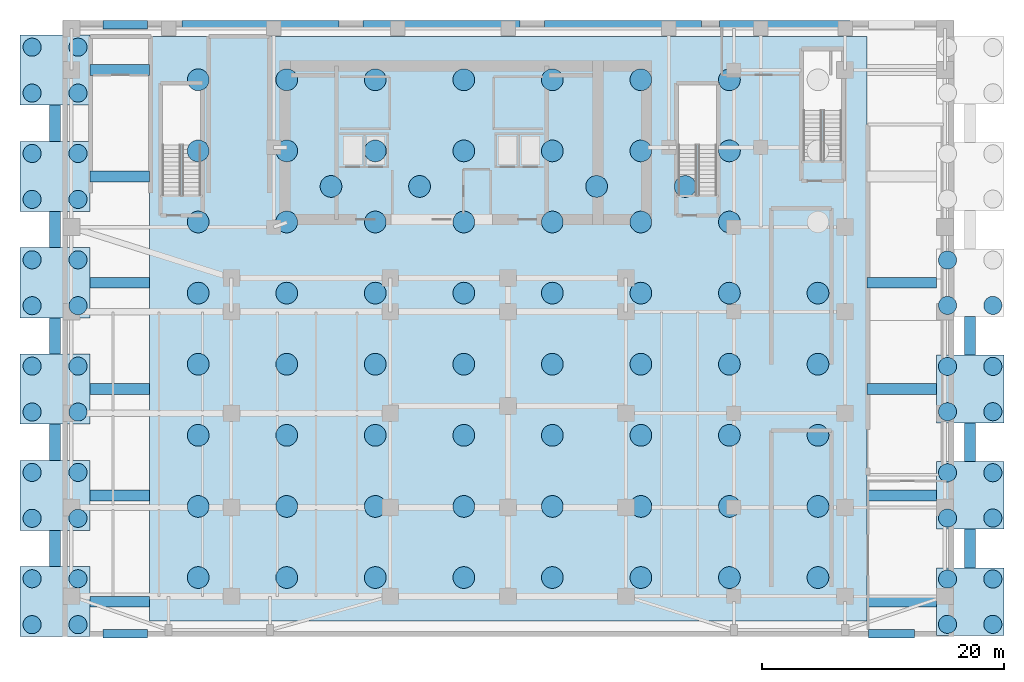
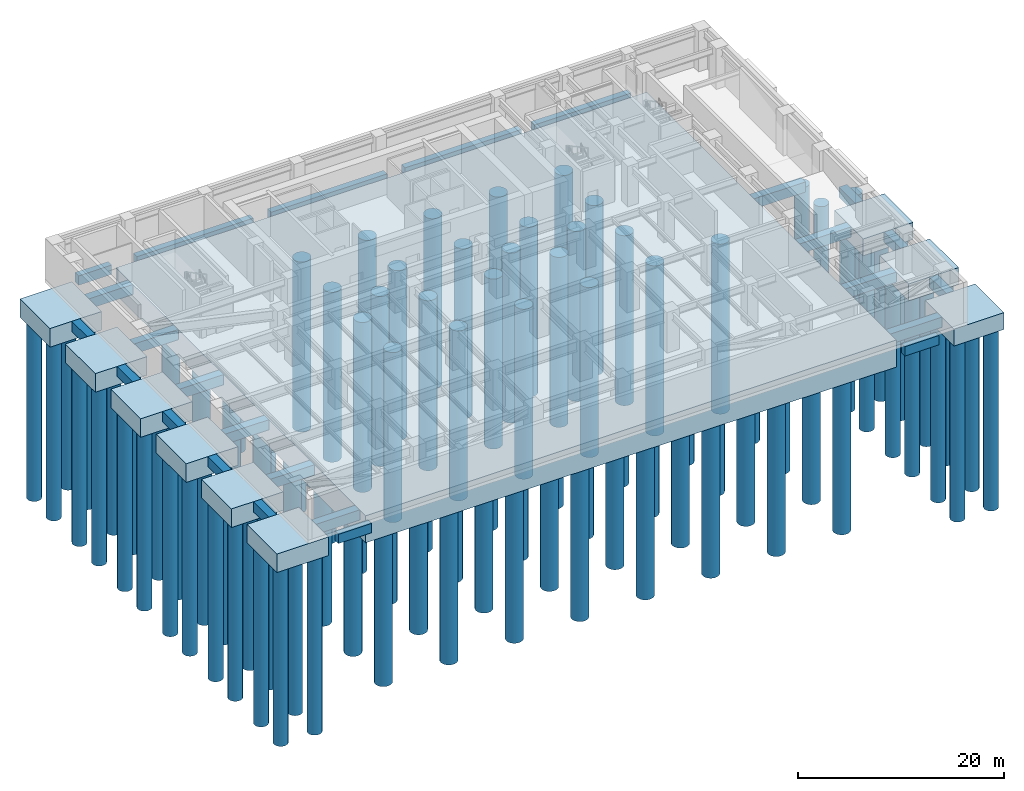
# One storey, part 1 of 9: 104 piles, 35 footings.
"""IFC4 building model written with IfcOpenShell, lengths in metres."""

from ifc_helpers import new_model, si_unit, direction, frame, origin, origin_2d, place, context, subcontext, project, spatial, polyline, rectangle, circle, outline, extrude, source, transform, mapped, material, material_profile, profile_set, type_object, type_shapes, element, save


model = new_model("IFC4")

# Units and contexts
model_context = context("Model", 3, precision=1e-05, world=origin(), true_north=direction((0.0, 1.0)))
body_context = subcontext(model_context, "Body", "Model", "MODEL_VIEW")
ifc_project = project(units=[si_unit("LENGTHUNIT", "METRE"), si_unit("AREAUNIT", "SQUARE_METRE"), si_unit("VOLUMEUNIT", "CUBIC_METRE"), si_unit("PLANEANGLEUNIT", "RADIAN"), si_unit("MASSUNIT", "GRAM", prefix="KILO")], contexts=[model_context])

# Site, building, storey
site_placement = place(None, origin())
site = spatial("IfcSite", under=ifc_project, at=site_placement, CompositionType="ELEMENT")
building_placement = place(site_placement, origin())
building = spatial("IfcBuilding", under=site, at=building_placement, Name="Tolvann Quenvar Hotel", CompositionType="ELEMENT")
storey_placement = place(building_placement, frame((0.0, 0.0, -14.39990234375)))
storey = spatial("IfcBuildingStorey", under=building, at=storey_placement, Name="B03", CompositionType="ELEMENT", Elevation=-14.39990234375)

# Footings
ifc_material_1 = material(Name="Concrete N50 (50 MPa)", Category="concrete")
footing_type_1 = type_object("IfcFootingType", Name="FTG_PC1_5800", PredefinedType="PILE_CAP", material=ifc_material_1)
footing_1_placement = place(storey_placement, frame((0.0, 0.0, -2.60009765625)))
element("IfcFooting", 1, at=footing_1_placement, inside=storey, type_object=footing_type_1, Name="Footing PC-1 (FTG-PC1-W1)", PredefinedType="PILE_CAP", context=body_context, shape_type="SweptSolid", body=[
    extrude(outline(polyline([(-11.89990234375, -2.5), (-6.10009765625, -2.5), (-6.10009765625, 3.300048828125), (-11.89990234375, 3.300048828125), (-11.89990234375, -2.5)])), origin(), (0.0, 0.0, 1.0), 2.199951171875),
])
footing_2_placement = place(storey_placement, frame((0.0, 0.0, -2.60009765625)))
element("IfcFooting", 2, at=footing_2_placement, inside=storey, type_object=footing_type_1, Name="Footing PC-1 (FTG-PC1-W2)", PredefinedType="PILE_CAP", context=body_context, shape_type="SweptSolid", body=[
    extrude(outline(polyline([(-11.89990234375, 6.300048828125), (-6.10009765625, 6.300048828125), (-6.10009765625, 12.10009765625), (-11.89990234375, 12.10009765625), (-11.89990234375, 6.300048828125)])), origin(), (0.0, 0.0, 1.0), 2.199951171875),
])
footing_3_placement = place(storey_placement, frame((0.0, 0.0, -2.60009765625)))
element("IfcFooting", 3, at=footing_3_placement, inside=storey, type_object=footing_type_1, Name="Footing PC-1 (FTG-PC1-W3)", PredefinedType="PILE_CAP", context=body_context, shape_type="SweptSolid", body=[
    extrude(outline(polyline([(-11.89990234375, 15.10009765625), (-6.10009765625, 15.10009765625), (-6.10009765625, 20.89990234375), (-11.89990234375, 20.89990234375), (-11.89990234375, 15.10009765625)])), origin(), (0.0, 0.0, 1.0), 2.199951171875),
])
footing_4_placement = place(storey_placement, frame((0.0, 0.0, -2.60009765625)))
element("IfcFooting", 4, at=footing_4_placement, inside=storey, type_object=footing_type_1, Name="Footing PC-1 (FTG-PC1-W4)", PredefinedType="PILE_CAP", context=body_context, shape_type="SweptSolid", body=[
    extrude(outline(polyline([(-11.89990234375, 23.89990234375), (-6.10009765625, 23.89990234375), (-6.10009765625, 29.699951171875), (-11.89990234375, 29.699951171875), (-11.89990234375, 23.89990234375)])), origin(), (0.0, 0.0, 1.0), 2.199951171875),
])
footing_5_placement = place(storey_placement, frame((0.0, 0.0, -2.60009765625)))
element("IfcFooting", 5, at=footing_5_placement, inside=storey, type_object=footing_type_1, Name="Footing PC-1 (FTG-PC1-W5)", PredefinedType="PILE_CAP", context=body_context, shape_type="SweptSolid", body=[
    extrude(outline(polyline([(-11.89990234375, 32.699951171875), (-6.10009765625, 32.699951171875), (-6.10009765625, 38.5), (-11.89990234375, 38.5), (-11.89990234375, 32.699951171875)])), origin(), (0.0, 0.0, 1.0), 2.199951171875),
])
footing_6_placement = place(storey_placement, frame((0.0, 0.0, -2.60009765625)))
element("IfcFooting", 6, at=footing_6_placement, inside=storey, type_object=footing_type_1, Name="Footing PC-1 (FTG-PC1-W6)", PredefinedType="PILE_CAP", context=body_context, shape_type="SweptSolid", body=[
    extrude(outline(polyline([(-11.89990234375, 41.5), (-6.10009765625, 41.5), (-6.10009765625, 47.300048828125), (-11.89990234375, 47.300048828125), (-11.89990234375, 41.5)])), origin(), (0.0, 0.0, 1.0), 2.199951171875),
])
footing_type_2 = type_object("IfcFootingType", Name="FTG_PC2_5600", PredefinedType="PILE_CAP", material=ifc_material_1)
footing_7_placement = place(storey_placement, frame((0.0, 0.0, -2.400146484375)))
element("IfcFooting", 7, at=footing_7_placement, inside=storey, type_object=footing_type_2, Name="Footing PC-2 (FTG-PC2-E1)", PredefinedType="PILE_CAP", context=body_context, shape_type="SweptSolid", body=[
    extrude(outline(polyline([(63.949951171875, -2.39990234375), (69.550048828125, -2.39990234375), (69.550048828125, 3.199951171875), (63.949951171875, 3.199951171875), (63.949951171875, -2.39990234375)])), origin(), (0.0, 0.0, 1.0), 2.0),
])
footing_8_placement = place(storey_placement, frame((0.0, 0.0, -2.400146484375)))
element("IfcFooting", 8, at=footing_8_placement, inside=storey, type_object=footing_type_2, Name="Footing PC-2 (FTG-PC2-E2)", PredefinedType="PILE_CAP", context=body_context, shape_type="SweptSolid", body=[
    extrude(outline(polyline([(63.949951171875, 6.39990234375), (69.550048828125, 6.39990234375), (69.550048828125, 12.0), (63.949951171875, 12.0), (63.949951171875, 6.39990234375)])), origin(), (0.0, 0.0, 1.0), 2.0),
])
footing_9_placement = place(storey_placement, frame((0.0, 0.0, -2.400146484375)))
element("IfcFooting", 9, at=footing_9_placement, inside=storey, type_object=footing_type_2, Name="Footing PC-2 (FTG-PC2-E3)", PredefinedType="PILE_CAP", context=body_context, shape_type="SweptSolid", body=[
    extrude(outline(polyline([(63.949951171875, 15.199951171875), (69.550048828125, 15.199951171875), (69.550048828125, 20.800048828125), (63.949951171875, 20.800048828125), (63.949951171875, 15.199951171875)])), origin(), (0.0, 0.0, 1.0), 2.0),
])
ifc_material_2 = material(Name="Concrete S65 (65 MPa)", Category="concrete")
footing_type_3 = type_object("IfcFootingType", Name="FTG_RAFT_3200", PredefinedType="CAISSON_FOUNDATION", material=ifc_material_2)
footing_10_placement = place(storey_placement, frame((0.0, 0.0, -3.60009765625)))
element("IfcFooting", 10, at=footing_10_placement, inside=storey, type_object=footing_type_3, Name="Footing RF-1 (FTG-RF1)", PredefinedType="CAISSON_FOUNDATION", context=body_context, shape_type="SweptSolid", body=[
    extrude(outline(polyline([(-1.199951171875, -1.199951171875), (58.199951171875, -1.199951171875), (58.199951171875, 47.199951171875), (-1.199951171875, 47.199951171875), (-1.199951171875, -1.199951171875)])), origin(), (0.0, 0.0, 1.0), 3.199951171875),
])

# Piles
ifc_material_profile_1 = material_profile(ifc_material_1, circle(Radius=0.75, at=origin_2d()), Name="PILE1500")
ifc_profile_set_1 = profile_set([ifc_material_profile_1], Name="Concrete N50 (50 MPa)")
pile_type_1 = type_object("IfcPileType", Name="PILE_BORED_1500", PredefinedType="BORED", material=ifc_profile_set_1)
for number, where, z_axis, x_axis, name in (
    (11, (-10.89990234375, -1.5, -2.47998046875), (0.0, 0.0, -1.0), (1.0, 0.0, 0.0), "Bored Pile PILE-P2-001"),
    (12, (-7.10009765625, -1.5, -2.47998046875), (0.0, 0.0, -1.0), (1.0, 0.0, 0.0), "Bored Pile PILE-P2-002"),
    (13, (-10.89990234375, 2.300048828125, -2.47998046875), (0.0, 0.0, -1.0), (1.0, 0.0, 0.0), "Bored Pile PILE-P2-003"),
    (14, (-7.10009765625, 2.300048828125, -2.47998046875), (0.0, 0.0, -1.0), (1.0, 0.0, 0.0), "Bored Pile PILE-P2-004"),
):
    element("IfcPile", number, at=place(storey_placement, frame(where, z_axis=z_axis, x_axis=x_axis)), inside=storey, type_object=pile_type_1, Name=name, PredefinedType="BORED", context=body_context, shape_type="SweptSolid", body=[
        extrude(circle(Radius=0.75, at=origin_2d()), origin(), (0.0, 0.0, 1.0), 21.1201171875),
    ])
for number, where, z_axis, x_axis, name in (
    (15, (64.875, -1.47509765625, -2.280029296875), (0.0, 0.0, -1.0), (1.0, 0.0, 0.0), "Bored Pile PILE-P2-005"),
    (16, (68.625, -1.47509765625, -2.280029296875), (0.0, 0.0, -1.0), (1.0, 0.0, 0.0), "Bored Pile PILE-P2-006"),
    (17, (64.875, 2.27490234375, -2.280029296875), (0.0, 0.0, -1.0), (1.0, 0.0, 0.0), "Bored Pile PILE-P2-007"),
    (18, (68.625, 2.27490234375, -2.280029296875), (0.0, 0.0, -1.0), (1.0, 0.0, 0.0), "Bored Pile PILE-P2-008"),
):
    element("IfcPile", number, at=place(storey_placement, frame(where, z_axis=z_axis, x_axis=x_axis)), inside=storey, type_object=pile_type_1, Name=name, PredefinedType="BORED", context=body_context, shape_type="SweptSolid", body=[
        extrude(circle(Radius=0.75, at=origin_2d()), origin(), (0.0, 0.0, 1.0), 21.320068359375),
    ])
for number, where, z_axis, x_axis, name in (
    (19, (-10.89990234375, 7.300048828125, -2.47998046875), (0.0, 0.0, -1.0), (1.0, 0.0, 0.0), "Bored Pile PILE-P2-009"),
    (20, (-7.10009765625, 7.300048828125, -2.47998046875), (0.0, 0.0, -1.0), (1.0, 0.0, 0.0), "Bored Pile PILE-P2-010"),
    (21, (-10.89990234375, 11.10009765625, -2.47998046875), (0.0, 0.0, -1.0), (1.0, 0.0, 0.0), "Bored Pile PILE-P2-011"),
    (22, (-7.10009765625, 11.10009765625, -2.47998046875), (0.0, 0.0, -1.0), (1.0, 0.0, 0.0), "Bored Pile PILE-P2-012"),
):
    element("IfcPile", number, at=place(storey_placement, frame(where, z_axis=z_axis, x_axis=x_axis)), inside=storey, type_object=pile_type_1, Name=name, PredefinedType="BORED", context=body_context, shape_type="SweptSolid", body=[
        extrude(circle(Radius=0.75, at=origin_2d()), origin(), (0.0, 0.0, 1.0), 21.1201171875),
    ])
for number, where, z_axis, x_axis, name in (
    (23, (64.875, 7.324951171875, -2.280029296875), (0.0, 0.0, -1.0), (1.0, 0.0, 0.0), "Bored Pile PILE-P2-013"),
    (24, (68.625, 7.324951171875, -2.280029296875), (0.0, 0.0, -1.0), (1.0, 0.0, 0.0), "Bored Pile PILE-P2-014"),
    (25, (64.875, 11.074951171875, -2.280029296875), (0.0, 0.0, -1.0), (1.0, 0.0, 0.0), "Bored Pile PILE-P2-015"),
    (26, (68.625, 11.074951171875, -2.280029296875), (0.0, 0.0, -1.0), (1.0, 0.0, 0.0), "Bored Pile PILE-P2-016"),
):
    element("IfcPile", number, at=place(storey_placement, frame(where, z_axis=z_axis, x_axis=x_axis)), inside=storey, type_object=pile_type_1, Name=name, PredefinedType="BORED", context=body_context, shape_type="SweptSolid", body=[
        extrude(circle(Radius=0.75, at=origin_2d()), origin(), (0.0, 0.0, 1.0), 21.320068359375),
    ])
for number, where, z_axis, x_axis, name in (
    (27, (-10.89990234375, 16.10009765625, -2.47998046875), (0.0, 0.0, -1.0), (1.0, 0.0, 0.0), "Bored Pile PILE-P2-017"),
    (28, (-7.10009765625, 16.10009765625, -2.47998046875), (0.0, 0.0, -1.0), (1.0, 0.0, 0.0), "Bored Pile PILE-P2-018"),
    (29, (-10.89990234375, 19.89990234375, -2.47998046875), (0.0, 0.0, -1.0), (1.0, 0.0, 0.0), "Bored Pile PILE-P2-019"),
    (30, (-7.10009765625, 19.89990234375, -2.47998046875), (0.0, 0.0, -1.0), (1.0, 0.0, 0.0), "Bored Pile PILE-P2-020"),
):
    element("IfcPile", number, at=place(storey_placement, frame(where, z_axis=z_axis, x_axis=x_axis)), inside=storey, type_object=pile_type_1, Name=name, PredefinedType="BORED", context=body_context, shape_type="SweptSolid", body=[
        extrude(circle(Radius=0.75, at=origin_2d()), origin(), (0.0, 0.0, 1.0), 21.1201171875),
    ])
for number, where, z_axis, x_axis, name in (
    (31, (64.875, 16.125, -2.280029296875), (0.0, 0.0, -1.0), (1.0, 0.0, 0.0), "Bored Pile PILE-P2-021"),
    (32, (68.625, 16.125, -2.280029296875), (0.0, 0.0, -1.0), (1.0, 0.0, 0.0), "Bored Pile PILE-P2-022"),
    (33, (64.875, 19.875, -2.280029296875), (0.0, 0.0, -1.0), (1.0, 0.0, 0.0), "Bored Pile PILE-P2-023"),
    (34, (68.625, 19.875, -2.280029296875), (0.0, 0.0, -1.0), (1.0, 0.0, 0.0), "Bored Pile PILE-P2-024"),
):
    element("IfcPile", number, at=place(storey_placement, frame(where, z_axis=z_axis, x_axis=x_axis)), inside=storey, type_object=pile_type_1, Name=name, PredefinedType="BORED", context=body_context, shape_type="SweptSolid", body=[
        extrude(circle(Radius=0.75, at=origin_2d()), origin(), (0.0, 0.0, 1.0), 21.320068359375),
    ])
for number, where, z_axis, x_axis, name in (
    (35, (-10.89990234375, 24.89990234375, -2.47998046875), (0.0, 0.0, -1.0), (1.0, 0.0, 0.0), "Bored Pile PILE-P2-025"),
    (36, (-7.10009765625, 24.89990234375, -2.47998046875), (0.0, 0.0, -1.0), (1.0, 0.0, 0.0), "Bored Pile PILE-P2-026"),
    (37, (-10.89990234375, 28.699951171875, -2.47998046875), (0.0, 0.0, -1.0), (1.0, 0.0, 0.0), "Bored Pile PILE-P2-027"),
    (38, (-7.10009765625, 28.699951171875, -2.47998046875), (0.0, 0.0, -1.0), (1.0, 0.0, 0.0), "Bored Pile PILE-P2-028"),
):
    element("IfcPile", number, at=place(storey_placement, frame(where, z_axis=z_axis, x_axis=x_axis)), inside=storey, type_object=pile_type_1, Name=name, PredefinedType="BORED", context=body_context, shape_type="SweptSolid", body=[
        extrude(circle(Radius=0.75, at=origin_2d()), origin(), (0.0, 0.0, 1.0), 21.1201171875),
    ])
for number, where, z_axis, x_axis, name in (
    (39, (64.875, 24.925048828125, -2.280029296875), (0.0, 0.0, -1.0), (1.0, 0.0, 0.0), "Bored Pile PILE-P2-029"),
    (40, (68.625, 24.925048828125, -2.280029296875), (0.0, 0.0, -1.0), (1.0, 0.0, 0.0), "Bored Pile PILE-P2-030"),
    (41, (64.875, 28.675048828125, -2.280029296875), (0.0, 0.0, -1.0), (1.0, 0.0, 0.0), "Bored Pile PILE-P2-031"),
):
    element("IfcPile", number, at=place(storey_placement, frame(where, z_axis=z_axis, x_axis=x_axis)), inside=storey, type_object=pile_type_1, Name=name, PredefinedType="BORED", context=body_context, shape_type="SweptSolid", body=[
        extrude(circle(Radius=0.75, at=origin_2d()), origin(), (0.0, 0.0, 1.0), 21.320068359375),
    ])
for number, where, z_axis, x_axis, name in (
    (42, (-10.89990234375, 33.699951171875, -2.47998046875), (0.0, 0.0, -1.0), (1.0, 0.0, 0.0), "Bored Pile PILE-P2-033"),
    (43, (-7.10009765625, 33.699951171875, -2.47998046875), (0.0, 0.0, -1.0), (1.0, 0.0, 0.0), "Bored Pile PILE-P2-034"),
    (44, (-10.89990234375, 37.5, -2.47998046875), (0.0, 0.0, -1.0), (1.0, 0.0, 0.0), "Bored Pile PILE-P2-035"),
    (45, (-7.10009765625, 37.5, -2.47998046875), (0.0, 0.0, -1.0), (1.0, 0.0, 0.0), "Bored Pile PILE-P2-036"),
    (46, (-10.89990234375, 42.5, -2.47998046875), (0.0, 0.0, -1.0), (1.0, 0.0, 0.0), "Bored Pile PILE-P2-041"),
    (47, (-7.10009765625, 42.5, -2.47998046875), (0.0, 0.0, -1.0), (1.0, 0.0, 0.0), "Bored Pile PILE-P2-042"),
    (48, (-10.89990234375, 46.300048828125, -2.47998046875), (0.0, 0.0, -1.0), (1.0, 0.0, 0.0), "Bored Pile PILE-P2-043"),
    (49, (-7.10009765625, 46.300048828125, -2.47998046875), (0.0, 0.0, -1.0), (1.0, 0.0, 0.0), "Bored Pile PILE-P2-044"),
):
    element("IfcPile", number, at=place(storey_placement, frame(where, z_axis=z_axis, x_axis=x_axis)), inside=storey, type_object=pile_type_1, Name=name, PredefinedType="BORED", context=body_context, shape_type="SweptSolid", body=[
        extrude(circle(Radius=0.75, at=origin_2d()), origin(), (0.0, 0.0, 1.0), 21.1201171875),
    ])
ifc_material_profile_2 = material_profile(ifc_material_2, circle(Radius=0.89990234375, at=origin_2d()), Name="PILE1800")
ifc_profile_set_2 = profile_set([ifc_material_profile_2], Name="Concrete S65 (65 MPa)")
pile_type_2 = type_object("IfcPileType", Name="PILE_BORED_1800", PredefinedType="BORED", material=ifc_profile_set_2)
for number, where, z_axis, x_axis, name in (
    (50, (2.85009765625, 2.39990234375, -3.47998046875), (0.0, 0.0, -1.0), (1.0, 0.0, 0.0), "Bored Pile PILE-P1-001"),
    (51, (10.178955078125, 2.39990234375, -3.47998046875), (0.0, 0.0, -1.0), (1.0, 0.0, 0.0), "Bored Pile PILE-P1-002"),
    (52, (17.507080078125, 2.39990234375, -3.47998046875), (0.0, 0.0, -1.0), (1.0, 0.0, 0.0), "Bored Pile PILE-P1-003"),
    (53, (24.8359375, 2.39990234375, -3.47998046875), (0.0, 0.0, -1.0), (1.0, 0.0, 0.0), "Bored Pile PILE-P1-004"),
    (54, (32.1640625, 2.39990234375, -3.47998046875), (0.0, 0.0, -1.0), (1.0, 0.0, 0.0), "Bored Pile PILE-P1-005"),
    (55, (39.492919921875, 2.39990234375, -3.47998046875), (0.0, 0.0, -1.0), (1.0, 0.0, 0.0), "Bored Pile PILE-P1-006"),
    (56, (46.821044921875, 2.39990234375, -3.47998046875), (0.0, 0.0, -1.0), (1.0, 0.0, 0.0), "Bored Pile PILE-P1-007"),
    (57, (54.14990234375, 2.39990234375, -3.47998046875), (0.0, 0.0, -1.0), (1.0, 0.0, 0.0), "Bored Pile PILE-P1-008"),
    (58, (2.85009765625, 8.285888671875, -3.47998046875), (0.0, 0.0, -1.0), (1.0, 0.0, 0.0), "Bored Pile PILE-P1-009"),
    (59, (10.178955078125, 8.285888671875, -3.47998046875), (0.0, 0.0, -1.0), (1.0, 0.0, 0.0), "Bored Pile PILE-P1-010"),
    (60, (17.507080078125, 8.285888671875, -3.47998046875), (0.0, 0.0, -1.0), (1.0, 0.0, 0.0), "Bored Pile PILE-P1-011"),
    (61, (24.8359375, 8.285888671875, -3.47998046875), (0.0, 0.0, -1.0), (1.0, 0.0, 0.0), "Bored Pile PILE-P1-012"),
    (62, (32.1640625, 8.285888671875, -3.47998046875), (0.0, 0.0, -1.0), (1.0, 0.0, 0.0), "Bored Pile PILE-P1-013"),
    (63, (39.492919921875, 8.285888671875, -3.47998046875), (0.0, 0.0, -1.0), (1.0, 0.0, 0.0), "Bored Pile PILE-P1-014"),
    (64, (46.821044921875, 8.285888671875, -3.47998046875), (0.0, 0.0, -1.0), (1.0, 0.0, 0.0), "Bored Pile PILE-P1-015"),
    (65, (54.14990234375, 8.285888671875, -3.47998046875), (0.0, 0.0, -1.0), (1.0, 0.0, 0.0), "Bored Pile PILE-P1-016"),
    (66, (2.85009765625, 14.1708984375, -3.47998046875), (0.0, 0.0, -1.0), (1.0, 0.0, 0.0), "Bored Pile PILE-P1-017"),
    (67, (10.178955078125, 14.1708984375, -3.47998046875), (0.0, 0.0, -1.0), (1.0, 0.0, 0.0), "Bored Pile PILE-P1-018"),
    (68, (17.507080078125, 14.1708984375, -3.47998046875), (0.0, 0.0, -1.0), (1.0, 0.0, 0.0), "Bored Pile PILE-P1-019"),
    (69, (24.8359375, 14.1708984375, -3.47998046875), (0.0, 0.0, -1.0), (1.0, 0.0, 0.0), "Bored Pile PILE-P1-020"),
    (70, (32.1640625, 14.1708984375, -3.47998046875), (0.0, 0.0, -1.0), (1.0, 0.0, 0.0), "Bored Pile PILE-P1-021"),
    (71, (39.492919921875, 14.1708984375, -3.47998046875), (0.0, 0.0, -1.0), (1.0, 0.0, 0.0), "Bored Pile PILE-P1-022"),
    (72, (46.821044921875, 14.1708984375, -3.47998046875), (0.0, 0.0, -1.0), (1.0, 0.0, 0.0), "Bored Pile PILE-P1-023"),
    (73, (54.14990234375, 14.1708984375, -3.47998046875), (0.0, 0.0, -1.0), (1.0, 0.0, 0.0), "Bored Pile PILE-P1-024"),
    (74, (2.85009765625, 20.056884765625, -3.47998046875), (0.0, 0.0, -1.0), (1.0, 0.0, 0.0), "Bored Pile PILE-P1-025"),
    (75, (10.178955078125, 20.056884765625, -3.47998046875), (0.0, 0.0, -1.0), (1.0, 0.0, 0.0), "Bored Pile PILE-P1-026"),
    (76, (17.507080078125, 20.056884765625, -3.47998046875), (0.0, 0.0, -1.0), (1.0, 0.0, 0.0), "Bored Pile PILE-P1-027"),
    (77, (24.8359375, 20.056884765625, -3.47998046875), (0.0, 0.0, -1.0), (1.0, 0.0, 0.0), "Bored Pile PILE-P1-028"),
    (78, (32.1640625, 20.056884765625, -3.47998046875), (0.0, 0.0, -1.0), (1.0, 0.0, 0.0), "Bored Pile PILE-P1-029"),
    (79, (39.492919921875, 20.056884765625, -3.47998046875), (0.0, 0.0, -1.0), (1.0, 0.0, 0.0), "Bored Pile PILE-P1-030"),
    (80, (46.821044921875, 20.056884765625, -3.47998046875), (0.0, 0.0, -1.0), (1.0, 0.0, 0.0), "Bored Pile PILE-P1-031"),
    (81, (54.14990234375, 20.056884765625, -3.47998046875), (0.0, 0.0, -1.0), (1.0, 0.0, 0.0), "Bored Pile PILE-P1-032"),
    (82, (2.85009765625, 25.943115234375, -3.47998046875), (0.0, 0.0, -1.0), (1.0, 0.0, 0.0), "Bored Pile PILE-P1-033"),
    (83, (10.178955078125, 25.943115234375, -3.47998046875), (0.0, 0.0, -1.0), (1.0, 0.0, 0.0), "Bored Pile PILE-P1-034"),
    (84, (17.507080078125, 25.943115234375, -3.47998046875), (0.0, 0.0, -1.0), (1.0, 0.0, 0.0), "Bored Pile PILE-P1-035"),
    (85, (24.8359375, 25.943115234375, -3.47998046875), (0.0, 0.0, -1.0), (1.0, 0.0, 0.0), "Bored Pile PILE-P1-036"),
    (86, (32.1640625, 25.943115234375, -3.47998046875), (0.0, 0.0, -1.0), (1.0, 0.0, 0.0), "Bored Pile PILE-P1-037"),
    (87, (39.492919921875, 25.943115234375, -3.47998046875), (0.0, 0.0, -1.0), (1.0, 0.0, 0.0), "Bored Pile PILE-P1-038"),
    (88, (46.821044921875, 25.943115234375, -3.47998046875), (0.0, 0.0, -1.0), (1.0, 0.0, 0.0), "Bored Pile PILE-P1-039"),
    (89, (54.14990234375, 25.943115234375, -3.47998046875), (0.0, 0.0, -1.0), (1.0, 0.0, 0.0), "Bored Pile PILE-P1-040"),
    (90, (2.85009765625, 31.8291015625, -3.47998046875), (0.0, 0.0, -1.0), (1.0, 0.0, 0.0), "Bored Pile PILE-P1-041"),
    (91, (10.178955078125, 31.8291015625, -3.47998046875), (0.0, 0.0, -1.0), (1.0, 0.0, 0.0), "Bored Pile PILE-P1-042"),
    (92, (17.507080078125, 31.8291015625, -3.47998046875), (0.0, 0.0, -1.0), (1.0, 0.0, 0.0), "Bored Pile PILE-P1-043"),
    (93, (24.8359375, 31.8291015625, -3.47998046875), (0.0, 0.0, -1.0), (1.0, 0.0, 0.0), "Bored Pile PILE-P1-044"),
    (94, (32.1640625, 31.8291015625, -3.47998046875), (0.0, 0.0, -1.0), (1.0, 0.0, 0.0), "Bored Pile PILE-P1-045"),
    (95, (39.492919921875, 31.8291015625, -3.47998046875), (0.0, 0.0, -1.0), (1.0, 0.0, 0.0), "Bored Pile PILE-P1-046"),
    (96, (46.821044921875, 31.8291015625, -3.47998046875), (0.0, 0.0, -1.0), (1.0, 0.0, 0.0), "Bored Pile PILE-P1-047"),
    (97, (2.85009765625, 37.714111328125, -3.47998046875), (0.0, 0.0, -1.0), (1.0, 0.0, 0.0), "Bored Pile PILE-P1-049"),
    (98, (10.178955078125, 37.714111328125, -3.47998046875), (0.0, 0.0, -1.0), (1.0, 0.0, 0.0), "Bored Pile PILE-P1-050"),
    (99, (17.507080078125, 37.714111328125, -3.47998046875), (0.0, 0.0, -1.0), (1.0, 0.0, 0.0), "Bored Pile PILE-P1-051"),
    (100, (24.8359375, 37.714111328125, -3.47998046875), (0.0, 0.0, -1.0), (1.0, 0.0, 0.0), "Bored Pile PILE-P1-052"),
    (101, (32.1640625, 37.714111328125, -3.47998046875), (0.0, 0.0, -1.0), (1.0, 0.0, 0.0), "Bored Pile PILE-P1-053"),
    (102, (39.492919921875, 37.714111328125, -3.47998046875), (0.0, 0.0, -1.0), (1.0, 0.0, 0.0), "Bored Pile PILE-P1-054"),
    (103, (46.821044921875, 37.714111328125, -3.47998046875), (0.0, 0.0, -1.0), (1.0, 0.0, 0.0), "Bored Pile PILE-P1-055"),
    (104, (2.85009765625, 43.60009765625, -3.47998046875), (0.0, 0.0, -1.0), (1.0, 0.0, 0.0), "Bored Pile PILE-P1-057"),
    (105, (10.178955078125, 43.60009765625, -3.47998046875), (0.0, 0.0, -1.0), (1.0, 0.0, 0.0), "Bored Pile PILE-P1-058"),
    (106, (17.507080078125, 43.60009765625, -3.47998046875), (0.0, 0.0, -1.0), (1.0, 0.0, 0.0), "Bored Pile PILE-P1-059"),
    (107, (24.8359375, 43.60009765625, -3.47998046875), (0.0, 0.0, -1.0), (1.0, 0.0, 0.0), "Bored Pile PILE-P1-060"),
    (108, (32.1640625, 43.60009765625, -3.47998046875), (0.0, 0.0, -1.0), (1.0, 0.0, 0.0), "Bored Pile PILE-P1-061"),
    (109, (39.492919921875, 43.60009765625, -3.47998046875), (0.0, 0.0, -1.0), (1.0, 0.0, 0.0), "Bored Pile PILE-P1-062"),
    (110, (46.821044921875, 43.60009765625, -3.47998046875), (0.0, 0.0, -1.0), (1.0, 0.0, 0.0), "Bored Pile PILE-P1-063"),
    (111, (13.843017578125, 34.77197265625, -3.47998046875), (0.0, 0.0, -1.0), (1.0, 0.0, 0.0), "Bored Pile PILE-P1-065"),
    (112, (21.172119140625, 34.77197265625, -3.47998046875), (0.0, 0.0, -1.0), (1.0, 0.0, 0.0), "Bored Pile PILE-P1-066"),
    (113, (35.8291015625, 34.77197265625, -3.47998046875), (0.0, 0.0, -1.0), (1.0, 0.0, 0.0), "Bored Pile PILE-P1-067"),
    (114, (43.156982421875, 34.77197265625, -3.47998046875), (0.0, 0.0, -1.0), (1.0, 0.0, 0.0), "Bored Pile PILE-P1-068"),
):
    element("IfcPile", number, at=place(storey_placement, frame(where, z_axis=z_axis, x_axis=x_axis)), inside=storey, type_object=pile_type_2, Name=name, PredefinedType="BORED", context=body_context, shape_type="SweptSolid", body=[
        extrude(circle(Radius=0.89990234375, at=origin_2d()), origin(), (0.0, 0.0, 1.0), 20.1201171875),
    ])

# Footings
ifc_material_profile_3 = material_profile(ifc_material_1, rectangle(XDim=0.89990234375, YDim=1.199951171875, at=origin_2d()), Name="RC900x1200")
ifc_profile_set_3 = profile_set([ifc_material_profile_3], Name="Concrete N50 (50 MPa)")
footing_type_4 = type_object("IfcFootingType", Name="FTG_GB1_900x1200", PredefinedType="FOOTING_BEAM", material=ifc_profile_set_3)
shared_shape_1 = source(origin(), body_context, "Body", "SweptSolid", [
    extrude(rectangle(XDim=0.89990234375, YDim=1.199951171875, at=origin_2d()), origin(), (0.0, 0.0, 1.0), 3.0),
])
for number, where, z_axis, x_axis, name in (
    (115, (-9.0, 3.300048828125, -1.0), (0.0, 1.0, 0.0), (-1.0, 0.0, 0.0), "Ground Tie Beam FTG-GB1-WL1"),
    (116, (-9.0, 12.10009765625, -1.0), (0.0, 1.0, 0.0), (-1.0, 0.0, 0.0), "Ground Tie Beam FTG-GB1-WL2"),
    (117, (-9.0, 20.89990234375, -1.0), (0.0, 1.0, 0.0), (-1.0, 0.0, 0.0), "Ground Tie Beam FTG-GB1-WL3"),
    (118, (-9.0, 29.699951171875, -1.0), (0.0, 1.0, 0.0), (-1.0, 0.0, 0.0), "Ground Tie Beam FTG-GB1-WL4"),
    (119, (-9.0, 38.5, -1.0), (0.0, 1.0, 0.0), (-1.0, 0.0, 0.0), "Ground Tie Beam FTG-GB1-WL5"),
):
    element("IfcFooting", number, at=place(storey_placement, frame(where, z_axis=z_axis, x_axis=x_axis)), inside=storey, type_object=footing_type_4, Name=name, PredefinedType="FOOTING_BEAM", context=body_context, shape_type="MappedRepresentation", body=[
        mapped(shared_shape_1, transform((0.0, 0.0, 0.0), x_axis=(1.0, 0.0, 0.0), y_axis=(0.0, 1.0, 0.0), z_axis=(0.0, 0.0, 1.0), scale=1.0)),
    ])
shared_shape_2 = source(origin(), body_context, "Body", "SweptSolid", [
    extrude(rectangle(XDim=0.89990234375, YDim=1.199951171875, at=origin_2d()), origin(), (0.0, 0.0, 1.0), 4.900146484375),
])
for number, where, z_axis, x_axis, name in (
    (120, (-6.10009765625, 0.39990234375, -1.0), (1.0, 0.0, 0.0), (0.0, 1.0, 0.0), "Ground Tie Beam FTG-GB1-WT1"),
    (121, (-6.10009765625, 9.199951171875, -1.0), (1.0, 0.0, 0.0), (0.0, 1.0, 0.0), "Ground Tie Beam FTG-GB1-WT2"),
    (122, (-6.10009765625, 18.0, -1.0), (1.0, 0.0, 0.0), (0.0, 1.0, 0.0), "Ground Tie Beam FTG-GB1-WT3"),
    (123, (-6.10009765625, 26.800048828125, -1.0), (1.0, 0.0, 0.0), (0.0, 1.0, 0.0), "Ground Tie Beam FTG-GB1-WT4"),
    (124, (-6.10009765625, 35.60009765625, -1.0), (1.0, 0.0, 0.0), (0.0, 1.0, 0.0), "Ground Tie Beam FTG-GB1-WT5"),
    (125, (-6.10009765625, 44.39990234375, -1.0), (1.0, 0.0, 0.0), (0.0, 1.0, 0.0), "Ground Tie Beam FTG-GB1-WT6"),
):
    element("IfcFooting", number, at=place(storey_placement, frame(where, z_axis=z_axis, x_axis=x_axis)), inside=storey, type_object=footing_type_4, Name=name, PredefinedType="FOOTING_BEAM", context=body_context, shape_type="MappedRepresentation", body=[
        mapped(shared_shape_2, transform((0.0, 0.0, 0.0), x_axis=(1.0, 0.0, 0.0), y_axis=(0.0, 1.0, 0.0), z_axis=(0.0, 0.0, 1.0), scale=1.0)),
    ])
shared_shape_3 = source(origin(), body_context, "Body", "SweptSolid", [
    extrude(rectangle(XDim=0.89990234375, YDim=1.199951171875, at=origin_2d()), origin(), (0.0, 0.0, 1.0), 3.199951171875),
])
for number, where, z_axis, x_axis, name in (
    (126, (66.75, 3.199951171875, -1.0), (0.0, 1.0, 0.0), (-1.0, 0.0, 0.0), "Ground Tie Beam FTG-GB1-EL1"),
    (127, (66.75, 12.0, -1.0), (0.0, 1.0, 0.0), (-1.0, 0.0, 0.0), "Ground Tie Beam FTG-GB1-EL2"),
    (128, (66.75, 20.800048828125, -1.0), (0.0, 1.0, 0.0), (-1.0, 0.0, 0.0), "Ground Tie Beam FTG-GB1-EL3"),
):
    element("IfcFooting", number, at=place(storey_placement, frame(where, z_axis=z_axis, x_axis=x_axis)), inside=storey, type_object=footing_type_4, Name=name, PredefinedType="FOOTING_BEAM", context=body_context, shape_type="MappedRepresentation", body=[
        mapped(shared_shape_3, transform((0.0, 0.0, 0.0), x_axis=(1.0, 0.0, 0.0), y_axis=(0.0, 1.0, 0.0), z_axis=(0.0, 0.0, 1.0), scale=1.0)),
    ])
shared_shape_4 = source(origin(), body_context, "Body", "SweptSolid", [
    extrude(rectangle(XDim=0.89990234375, YDim=1.199951171875, at=origin_2d()), origin(), (0.0, 0.0, 1.0), 5.75),
])
type_shapes(footing_type_4, [shared_shape_1, shared_shape_2, shared_shape_3, shared_shape_4])
for number, where, z_axis, x_axis, name in (
    (129, (58.199951171875, 0.39990234375, -1.0), (1.0, 0.0, 0.0), (0.0, 1.0, 0.0), "Ground Tie Beam FTG-GB1-ET1"),
    (130, (58.199951171875, 9.199951171875, -1.0), (1.0, 0.0, 0.0), (0.0, 1.0, 0.0), "Ground Tie Beam FTG-GB1-ET2"),
    (131, (58.199951171875, 18.0, -1.0), (1.0, 0.0, 0.0), (0.0, 1.0, 0.0), "Ground Tie Beam FTG-GB1-ET3"),
    (132, (58.199951171875, 26.800048828125, -1.0), (1.0, 0.0, 0.0), (0.0, 1.0, 0.0), "Ground Tie Beam FTG-GB1-ET4"),
):
    element("IfcFooting", number, at=place(storey_placement, frame(where, z_axis=z_axis, x_axis=x_axis)), inside=storey, type_object=footing_type_4, Name=name, PredefinedType="FOOTING_BEAM", context=body_context, shape_type="MappedRepresentation", body=[
        mapped(shared_shape_4, transform((0.0, 0.0, 0.0), x_axis=(1.0, 0.0, 0.0), y_axis=(0.0, 1.0, 0.0), z_axis=(0.0, 0.0, 1.0), scale=1.0)),
    ])
ifc_material_profile_4 = material_profile(ifc_material_1, rectangle(XDim=0.699951171875, YDim=1.10009765625, at=origin_2d()), Name="RC700x1100")
ifc_profile_set_4 = profile_set([ifc_material_profile_4], Name="Concrete N50 (50 MPa)")
footing_type_5 = type_object("IfcFootingType", Name="FTG_SF1_700x1100", PredefinedType="STRIP_FOOTING", material=ifc_profile_set_4)
shared_shape_5 = source(origin(), body_context, "Body", "SweptSolid", [
    extrude(rectangle(XDim=0.699951171875, YDim=1.10009765625, at=origin_2d()), origin(), (0.0, 0.0, 1.0), 3.699951171875),
])
for number, where, z_axis, x_axis, name in (
    (133, (-5.050048828125, -2.25, -0.9501953125), (1.0, 0.0, 0.0), (0.0, 1.0, 0.0), "Strip Footing FTG-SF1-SW"),
    (134, (-5.050048828125, 48.14990234375, -0.9501953125), (1.0, 0.0, 0.0), (0.0, 1.0, 0.0), "Strip Footing FTG-SF1-NW"),
):
    element("IfcFooting", number, at=place(storey_placement, frame(where, z_axis=z_axis, x_axis=x_axis)), inside=storey, type_object=footing_type_5, Name=name, PredefinedType="STRIP_FOOTING", context=body_context, shape_type="MappedRepresentation", body=[
        mapped(shared_shape_5, transform((0.0, 0.0, 0.0), x_axis=(1.0, 0.0, 0.0), y_axis=(0.0, 1.0, 0.0), z_axis=(0.0, 0.0, 1.0), scale=1.0)),
    ])
shared_shape_6 = source(origin(), body_context, "Body", "SweptSolid", [
    extrude(rectangle(XDim=0.699951171875, YDim=1.10009765625, at=origin_2d()), origin(), (0.0, 0.0, 1.0), 3.7998046875),
])
footing_11_placement = place(storey_placement, frame((58.35009765625, -2.25, -0.9501953125), z_axis=(1.0, 0.0, 0.0), x_axis=(0.0, 1.0, 0.0)))
element("IfcFooting", 135, at=footing_11_placement, inside=storey, type_object=footing_type_5, Name="Strip Footing FTG-SF1-SE", PredefinedType="STRIP_FOOTING", context=body_context, shape_type="MappedRepresentation", body=[
    mapped(shared_shape_6, transform((0.0, 0.0, 0.0), x_axis=(1.0, 0.0, 0.0), y_axis=(0.0, 1.0, 0.0), z_axis=(0.0, 0.0, 1.0), scale=1.0)),
])
shared_shape_7 = source(origin(), body_context, "Body", "SweptSolid", [
    extrude(rectangle(XDim=0.699951171875, YDim=1.10009765625, at=origin_2d()), origin(), (0.0, 0.0, 1.0), 13.0),
])
for number, where, z_axis, x_axis, name in (
    (136, (1.5, 48.14990234375, -0.9501953125), (1.0, 0.0, 0.0), (0.0, 1.0, 0.0), "Strip Footing FTG-SF1-N1"),
    (137, (16.5, 48.14990234375, -0.9501953125), (1.0, 0.0, 0.0), (0.0, 1.0, 0.0), "Strip Footing FTG-SF1-N2"),
    (138, (31.5, 48.14990234375, -0.9501953125), (1.0, 0.0, 0.0), (0.0, 1.0, 0.0), "Strip Footing FTG-SF1-N3"),
):
    element("IfcFooting", number, at=place(storey_placement, frame(where, z_axis=z_axis, x_axis=x_axis)), inside=storey, type_object=footing_type_5, Name=name, PredefinedType="STRIP_FOOTING", context=body_context, shape_type="MappedRepresentation", body=[
        mapped(shared_shape_7, transform((0.0, 0.0, 0.0), x_axis=(1.0, 0.0, 0.0), y_axis=(0.0, 1.0, 0.0), z_axis=(0.0, 0.0, 1.0), scale=1.0)),
    ])
shared_shape_8 = source(origin(), body_context, "Body", "SweptSolid", [
    extrude(rectangle(XDim=0.699951171875, YDim=1.10009765625, at=origin_2d()), origin(), (0.0, 0.0, 1.0), 10.800048828125),
])
type_shapes(footing_type_5, [shared_shape_5, shared_shape_6, shared_shape_7, shared_shape_8])
footing_12_placement = place(storey_placement, frame((46.0, 48.14990234375, -0.9501953125), z_axis=(1.0, 0.0, 0.0), x_axis=(0.0, 1.0, 0.0)))
element("IfcFooting", 139, at=footing_12_placement, inside=storey, type_object=footing_type_5, Name="Strip Footing FTG-SF1-N4", PredefinedType="STRIP_FOOTING", context=body_context, shape_type="MappedRepresentation", body=[
    mapped(shared_shape_8, transform((0.0, 0.0, 0.0), x_axis=(1.0, 0.0, 0.0), y_axis=(0.0, 1.0, 0.0), z_axis=(0.0, 0.0, 1.0), scale=1.0)),
])

save(model, "model.ifc")
